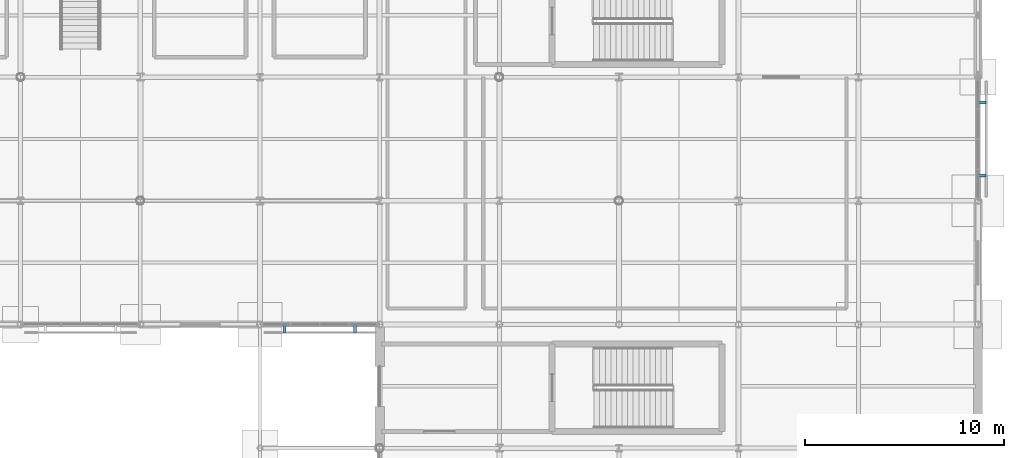
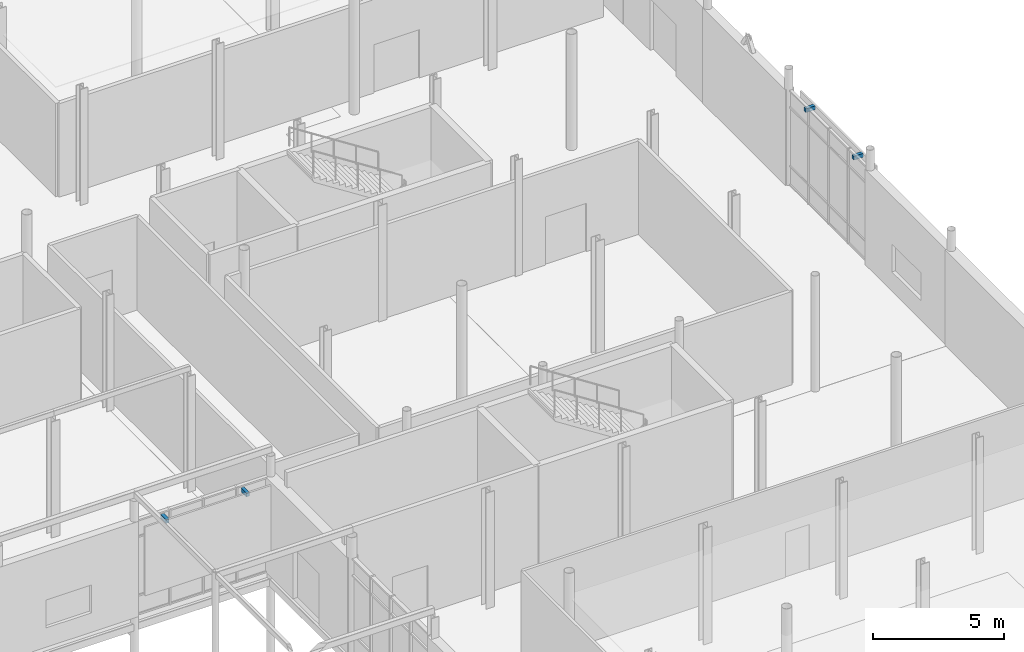
# One storey, part 84 of 98: 4 discrete accessories.
"""IFC4 building model written with IfcOpenShell, lengths in metres."""

from ifc_helpers import new_model, si_unit, direction, frame, origin, origin_2d, place, context, subcontext, project, spatial, rectangle, extrude, material, type_object, element, save


model = new_model("IFC4")

# Units and contexts
model_context = context("Model", 3, precision=1e-05, world=origin(), true_north=direction((0.0, 1.0)))
body_context = subcontext(model_context, "Body", "Model", "MODEL_VIEW")
ifc_project = project(units=[si_unit("LENGTHUNIT", "METRE"), si_unit("AREAUNIT", "SQUARE_METRE"), si_unit("VOLUMEUNIT", "CUBIC_METRE"), si_unit("PLANEANGLEUNIT", "RADIAN"), si_unit("MASSUNIT", "GRAM", prefix="KILO")], contexts=[model_context])

# Site, building, storey
site_placement = place(None, origin())
site = spatial("IfcSite", under=ifc_project, at=site_placement, CompositionType="ELEMENT")
building_placement = place(site_placement, origin())
building = spatial("IfcBuilding", under=site, at=building_placement, Name="Mirzam Square Science Centre", CompositionType="ELEMENT")
storey_placement = place(building_placement, origin())
storey = spatial("IfcBuildingStorey", under=building, at=storey_placement, Name="L00", CompositionType="ELEMENT", Elevation=0.0)

# Discrete accessories
ifc_material = material(Name="Steel S355", Category="steel")
discrete_accessory_type = type_object("IfcDiscreteAccessoryType", Name="BRK-BRISE-STEEL", PredefinedType="BRACKET", material=ifc_material)
for number, where, z_axis, x_axis, name in (
    (1, (127.23291015625, 37.010009765625, 4.10009765625), (0.0, 0.0, 1.0), (1.0, 0.0, 0.0), "L00 brise-soleil support bracket 56"),
    (2, (130.76708984375, 37.010009765625, 4.10009765625), (0.0, 0.0, 1.0), (1.0, 0.0, 0.0), "L00 brise-soleil support bracket 56"),
    (3, (162.18994140625, 44.673095703125, 4.10009765625), (0.0, 0.0, 1.0), (0.0, 1.0, 0.0), "L00 brise-soleil support bracket 57"),
    (4, (162.18994140625, 48.326904296875, 4.10009765625), (0.0, 0.0, 1.0), (0.0, 1.0, 0.0), "L00 brise-soleil support bracket 57"),
):
    element("IfcDiscreteAccessory", number, at=place(storey_placement, frame(where, z_axis=z_axis, x_axis=x_axis)), inside=storey, type_object=discrete_accessory_type, Name=name, PredefinedType="BRACKET", context=body_context, shape_type="SweptSolid", body=[
        extrude(rectangle(XDim=0.139892578125, YDim=0.419921875, at=origin_2d()), origin(), (0.0, 0.0, 1.0), 0.179931640625),
    ])

save(model, "model.ifc")
